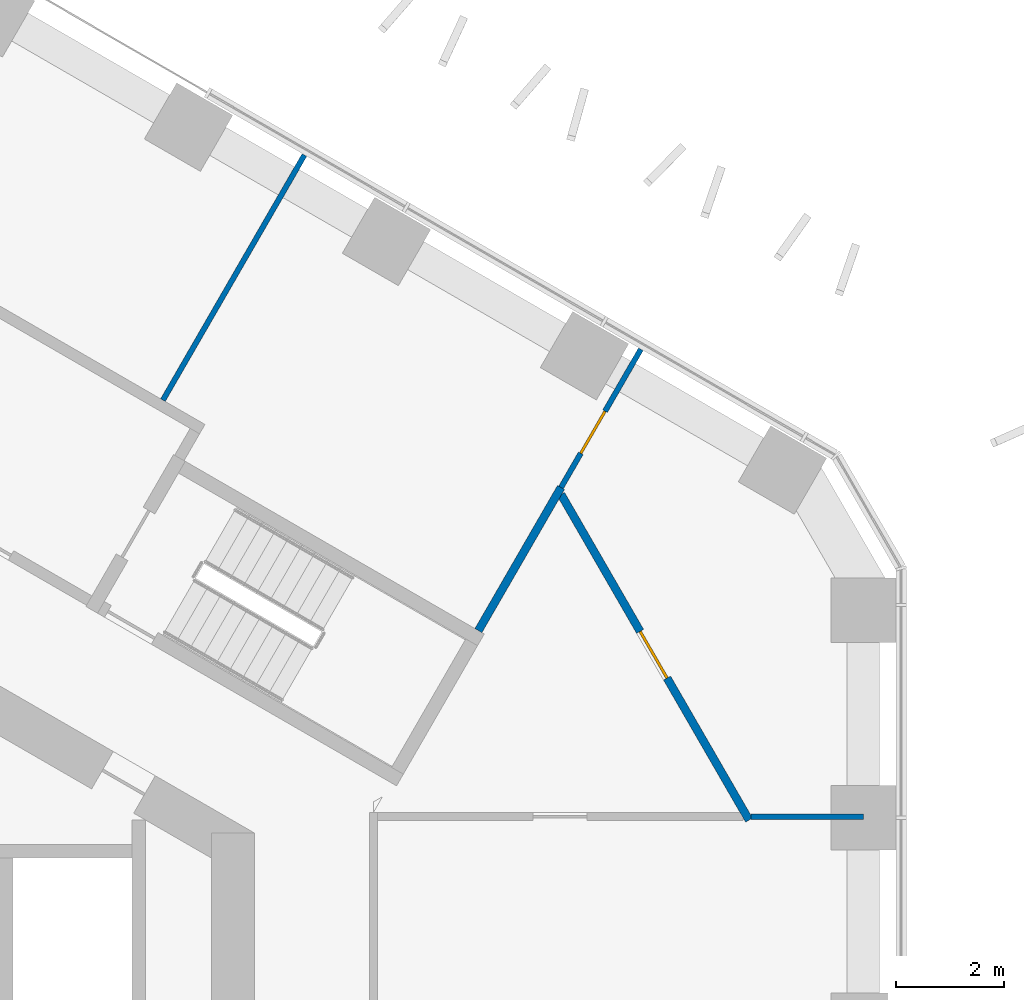
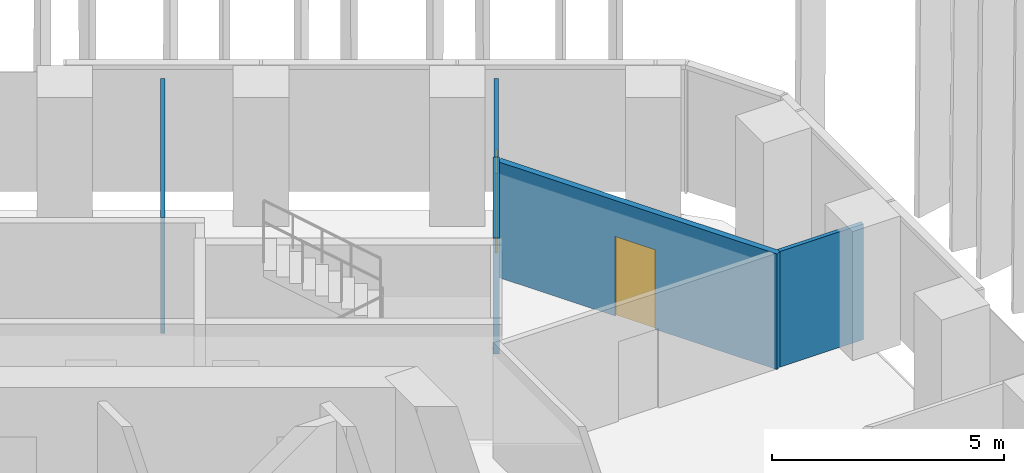
# One storey, part 15 of 19: 5 walls, 2 doors, 2 openings.
"""IFC4 building model written with IfcOpenShell, lengths in metres."""

from ifc_helpers import new_model, si_unit, direction, frame, frame_2d, origin, place, context, subcontext, project, spatial, rectangle, extrude, material, layer, layer_set, type_object, element, fill, save


model = new_model("IFC4")

# Units and contexts
model_context = context("Model", 3, precision=1e-05, world=origin(), true_north=direction((0.0, 1.0)))
body_context = subcontext(model_context, "Body", "Model", "MODEL_VIEW")
ifc_project = project(units=[si_unit("LENGTHUNIT", "METRE"), si_unit("AREAUNIT", "SQUARE_METRE"), si_unit("VOLUMEUNIT", "CUBIC_METRE"), si_unit("PLANEANGLEUNIT", "RADIAN"), si_unit("MASSUNIT", "GRAM", prefix="KILO")], contexts=[model_context])

# Site, building, storey
site_placement = place(None, origin())
site = spatial("IfcSite", under=ifc_project, at=site_placement, CompositionType="ELEMENT")
building_placement = place(site_placement, origin())
building = spatial("IfcBuilding", under=site, at=building_placement, Name="Ayvan Gate Tower", CompositionType="ELEMENT")
storey_placement = place(building_placement, frame((0.0, 0.0, 56.10009765625)))
storey = spatial("IfcBuildingStorey", under=building, at=storey_placement, Name="L14", CompositionType="ELEMENT", Elevation=56.10009765625)

# Wall
ifc_material_1 = material(Name="Plasterboard on steel stud", Category="steel")
ifc_layer_1 = layer(ifc_material_1, 0.14990234375)
ifc_layer_set_1 = layer_set([ifc_layer_1], Name="Plasterboard on steel stud")
wall_type_1 = type_object("IfcWallType", Name="WT-CORR-150", PredefinedType="PARTITIONING", material=ifc_layer_set_1)
wall_1_placement = place(storey_placement, frame((13.647705078125, 9.23876953125, 0.0), z_axis=(0.0, 0.0, 1.0), x_axis=(0.500012104326, 0.866018415236, 0.0)))
element("IfcWall", 1, at=wall_1_placement, inside=storey, type_object=wall_type_1, Name="IW-L14-105", PredefinedType="PARTITIONING", context=body_context, shape_type="SweptSolid", body=[
    extrude(rectangle(XDim=3.064453125, YDim=0.14990234375, at=frame_2d((1.5322265625, 0.0))), origin(), (0.0, 0.0, 1.0), 3.0498046875),
])

# Wall, opening, door
wall_2_placement = place(storey_placement, frame((15.179931640625, 11.7626953125, 0.0), z_axis=(0.0, 0.0, 1.0), x_axis=(0.499996319731, -0.866027528578, 0.0)))
wall_2 = element("IfcWall", 2, at=wall_2_placement, inside=storey, type_object=wall_type_1, Name="IW-L14-109", PredefinedType="PARTITIONING", context=body_context, shape_type="SweptSolid", body=[
    extrude(rectangle(XDim=6.970703125, YDim=0.14990234375, at=frame_2d((3.4853515625, 0.0))), origin(), (0.0, 0.0, 1.0), 3.0498046875),
])
opening_1_placement = place(wall_2_placement, frame((2.930419921875, 0.0, 0.0)))
opening_1 = element("IfcOpeningElement", 3, at=opening_1_placement, cuts=wall_2, Name="Opening L14-D19", PredefinedType="OPENING", context=body_context, shape_type="SweptSolid", body=[
    extrude(rectangle(XDim=1.0, YDim=2.10009765625, at=frame_2d((0.5, 1.050048828125))), frame((0.0, 0.0849609375, 0.0), z_axis=(0.0, -1.0, 0.0), x_axis=(1.0, 0.0, 0.0)), (0.0, 0.0, 1.0), 0.169921875),
])
ifc_material_2 = material(Name="Timber door leaf", Category="wood")
door_type_1 = type_object("IfcDoorType", Name="DT-1000", OperationType="NOTDEFINED", PredefinedType="DOOR", material=ifc_material_2)
door_1_placement = place(opening_1_placement, origin())
door_1 = element("IfcDoor", 4, at=door_1_placement, inside=storey, type_object=door_type_1, Name="ID-L14-019", OperationType="SINGLE_SWING_LEFT", OverallHeight=2.10009765625, OverallWidth=1.0, PredefinedType="DOOR", context=body_context, shape_type="SweptSolid", body=[
    extrude(rectangle(XDim=1.0, YDim=2.10009765625, at=frame_2d((0.5, 1.050048828125))), frame((0.0, 0.02490234375, 0.0), z_axis=(0.0, -1.0, 0.0), x_axis=(1.0, 0.0, 0.0)), (0.0, 0.0, 1.0), 0.050048828125),
])
fill(opening_1, door_1)

# Wall
ifc_layer_2 = layer(ifc_material_1, 0.10009765625)
ifc_layer_set_2 = layer_set([ifc_layer_2], Name="Plasterboard on steel stud")
wall_type_2 = type_object("IfcWallType", Name="WT-PART-100", PredefinedType="PARTITIONING", material=ifc_layer_set_2)
wall_3_placement = place(storey_placement, frame((7.800048828125, 13.510009765625, 0.0), z_axis=(0.0, 0.0, 1.0), x_axis=(0.499962800384, 0.866046879928, 0.0)))
element("IfcWall", 5, at=wall_3_placement, inside=storey, type_object=wall_type_2, Name="IW-L14-089", PredefinedType="PARTITIONING", context=body_context, shape_type="SweptSolid", body=[
    extrude(rectangle(XDim=5.24658203125, YDim=0.10009765625, at=frame_2d((2.623291015625, 0.0))), origin(), (0.0, 0.0, 1.0), 3.0498046875),
])

# Wall, opening, door
wall_4_placement = place(storey_placement, frame((15.179931640625, 11.892578125, 0.0), z_axis=(0.0, 0.0, 1.0), x_axis=(0.500036881675, 0.866004109092, 0.0)))
wall_4 = element("IfcWall", 6, at=wall_4_placement, inside=storey, type_object=wall_type_2, Name="IW-L14-108", PredefinedType="PARTITIONING", context=body_context, shape_type="SweptSolid", body=[
    extrude(rectangle(XDim=2.957275390625, YDim=0.10009765625, at=frame_2d((1.478515625, 0.0))), origin(), (0.0, 0.0, 1.0), 3.0498046875),
])
opening_2_placement = place(wall_4_placement, frame((0.730712890625, 0.0, 0.0)))
opening_2 = element("IfcOpeningElement", 7, at=opening_2_placement, cuts=wall_4, Name="Opening L14-D20", PredefinedType="OPENING", context=body_context, shape_type="SweptSolid", body=[
    extrude(rectangle(XDim=0.89990234375, YDim=2.10009765625, at=frame_2d((0.449951171875, 1.050048828125))), frame((0.0, 0.06005859375, 0.0), z_axis=(0.0, -1.0, 0.0), x_axis=(1.0, 0.0, 0.0)), (0.0, 0.0, 1.0), 0.1201171875),
])
door_type_2 = type_object("IfcDoorType", Name="DT-900", OperationType="NOTDEFINED", PredefinedType="DOOR", material=ifc_material_2)
door_2_placement = place(opening_2_placement, origin())
door_2 = element("IfcDoor", 8, at=door_2_placement, inside=storey, type_object=door_type_2, Name="ID-L14-020", OperationType="SINGLE_SWING_RIGHT", OverallHeight=2.10009765625, OverallWidth=0.89990234375, PredefinedType="DOOR", context=body_context, shape_type="SweptSolid", body=[
    extrude(rectangle(XDim=0.89990234375, YDim=2.10009765625, at=frame_2d((0.449951171875, 1.050048828125))), frame((0.0, 0.02490234375, 0.0), z_axis=(0.0, -1.0, 0.0), x_axis=(1.0, 0.0, 0.0)), (0.0, 0.0, 1.0), 0.050048828125),
])
fill(opening_2, door_2)

# Wall
wall_5_placement = place(storey_placement, frame((18.70263671875, 5.790771484375, 0.0), z_axis=(0.0, 0.0, 1.0), x_axis=(1.0, 0.0, 0.0)))
element("IfcWall", 9, at=wall_5_placement, inside=storey, type_object=wall_type_2, Name="IW-L14-111", PredefinedType="PARTITIONING", context=body_context, shape_type="SweptSolid", body=[
    extrude(rectangle(XDim=2.08203125, YDim=0.10009765625, at=frame_2d((1.041015625, 0.0))), origin(), (0.0, 0.0, 1.0), 3.0498046875),
])

save(model, "model.ifc")
